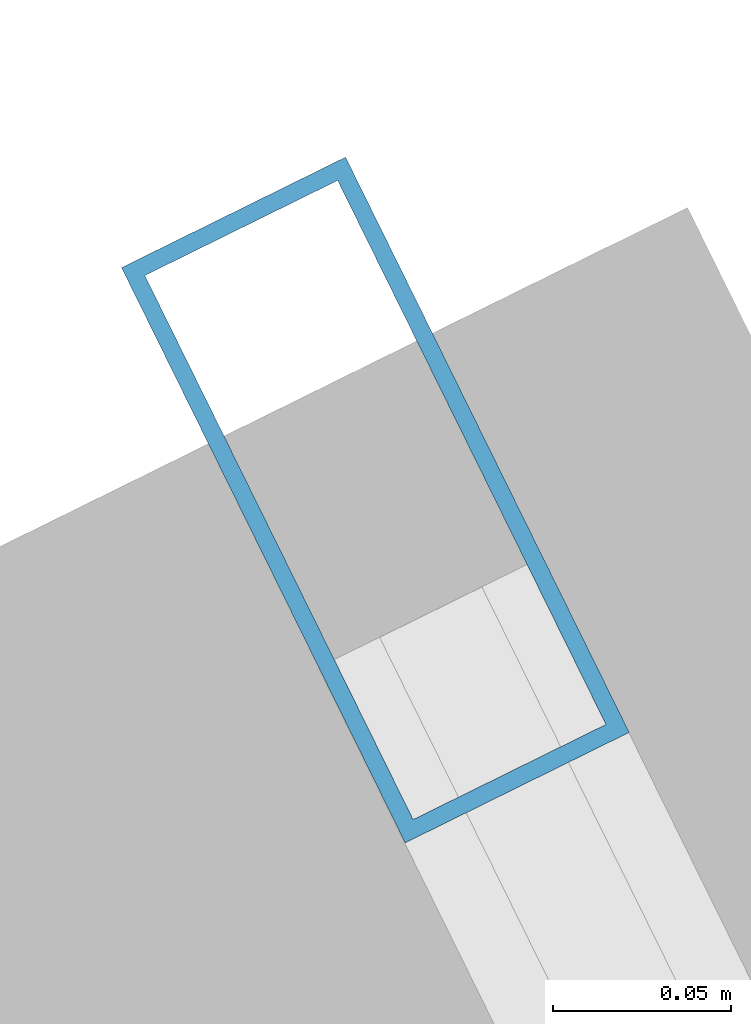
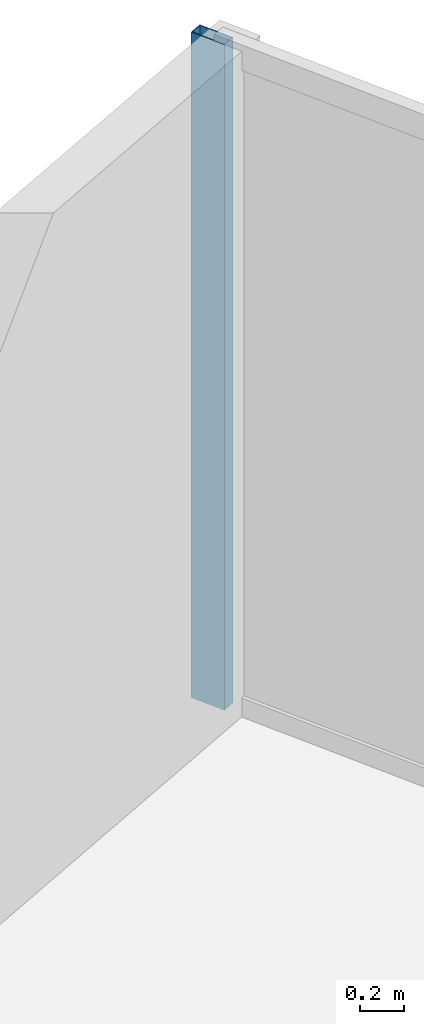
# One storey, part 17 of 22: 1 member, 1 element without a shape of its own.
"""IFC4 building model written with IfcOpenShell, lengths in metres."""

import ifcopenshell
import ifcopenshell.guid

model = None  # the IFC model being written
_history = None  # IfcOwnerHistory: only IFC2X3 demands one
_inside = {}  # id of a spatial element -> (the spatial element, [elements in it])
_under = {}  # id of a project, library or spatial element -> (it, [spatial elements below it])
_declared = {}  # id of a project -> (the project, [libraries it declares])
_typed = {}  # id of a type object -> (the type object, [elements of that type])
_made_of = {}  # id of a material, layer set ... -> (it, [elements and type objects made of it])


def new_model(schema):
    """Start an empty IFC model of exactly this schema.

    Asked for "IFC4X3", IfcOpenShell would pick the latest addendum, in which some entities
    have other attributes; the version numbers below select the first issue.
    IFC2X3 requires an IfcOwnerHistory on every rooted entity: one is made here for all.
    """
    global model, _history
    if schema == "IFC4X3":
        model = ifcopenshell.file(schema_version=(4, 3, 0, 0))
    else:
        model = ifcopenshell.file(schema=schema)
    _inside.clear()
    _under.clear()
    _declared.clear()
    _typed.clear()
    _made_of.clear()
    _history = None
    if model.schema == "IFC2X3":
        org = make("IfcOrganization", Name="unknown")
        user = make(
            "IfcPersonAndOrganization",
            ThePerson=make("IfcPerson", FamilyName="unknown"),
            TheOrganization=org,
        )
        app = make(
            "IfcApplication",
            ApplicationDeveloper=org,
            Version="unknown",
            ApplicationFullName="unknown",
            ApplicationIdentifier="unknown",
        )
        _history = make(
            "IfcOwnerHistory",
            OwningUser=user,
            OwningApplication=app,
            ChangeAction="ADDED",
            CreationDate=0,
        )
    return model


def make(cls, **values):
    """One entity of the class cls with the attributes given. An attribute that is None is left unset."""
    return model.create_entity(
        cls, **{name: value for name, value in values.items() if value is not None}
    )


def rooted(cls, **values):
    """An entity with a GlobalId (a new one), such as an element, a storey or a relation."""
    return make(cls, GlobalId=ifcopenshell.guid.new(), OwnerHistory=_history, **values)


def si_unit(unit_type, name, prefix=None):
    """IfcSIUnit, for example si_unit("LENGTHUNIT", "METRE", prefix="MILLI")."""
    return make("IfcSIUnit", UnitType=unit_type, Prefix=prefix, Name=name)


def assignment(units):
    """IfcUnitAssignment: the units of a project."""
    return None if units is None else make("IfcUnitAssignment", Units=units)


def point(xyz):
    """IfcCartesianPoint."""
    return None if xyz is None else make("IfcCartesianPoint", Coordinates=xyz)


def direction(xyz):
    """IfcDirection."""
    return None if xyz is None else make("IfcDirection", DirectionRatios=xyz)


def frame(location, z_axis=None, x_axis=None):
    """IfcAxis2Placement3D, a coordinate frame: its origin and axes. An axis left out is left unset."""
    return make(
        "IfcAxis2Placement3D",
        Location=point(location),
        Axis=direction(z_axis),
        RefDirection=direction(x_axis),
    )


def frame_2d(location, x_axis=None):
    """IfcAxis2Placement2D, a coordinate frame in the plane: its origin and x axis."""
    return make(
        "IfcAxis2Placement2D", Location=point(location), RefDirection=direction(x_axis)
    )


def origin():
    """The frame at (0, 0, 0) with its axes left unset."""
    return frame((0.0, 0.0, 0.0))


def origin_2d():
    """The frame at (0, 0) in the plane with its x axis left unset."""
    return frame_2d((0.0, 0.0))


def place(relative_to, where):
    """IfcLocalPlacement: puts the frame where relative to a parent placement (None: the world)."""
    return make(
        "IfcLocalPlacement", PlacementRelTo=relative_to, RelativePlacement=where
    )


def context(
    kind, dimensions, precision=None, world=None, true_north=None, identifier=None
):
    """IfcGeometricRepresentationContext, for example the 3D "Model" context."""
    return make(
        "IfcGeometricRepresentationContext",
        ContextIdentifier=identifier,
        ContextType=kind,
        CoordinateSpaceDimension=dimensions,
        Precision=precision,
        WorldCoordinateSystem=world,
        TrueNorth=true_north,
    )


def subcontext(parent, identifier, kind, view, scale=None):
    """IfcGeometricRepresentationSubContext, for example "Body" below "Model"."""
    return make(
        "IfcGeometricRepresentationSubContext",
        ContextIdentifier=identifier,
        ContextType=kind,
        ParentContext=parent,
        TargetScale=scale,
        TargetView=view,
    )


def project(units=None, contexts=None):
    """IfcProject with its units and contexts."""
    return rooted(
        "IfcProject",
        Name="project",
        RepresentationContexts=contexts,
        UnitsInContext=assignment(units),
    )


def spatial(cls, under=None, at=None, **own):
    """A site, building, storey or space (cls), placed at a placement, below another one or the project."""
    s = rooted(cls, ObjectPlacement=at, **own)
    if under is not None:
        _under.setdefault(under.id(), (under, []))[1].append(s)
    return s


def profile(cls, at=None, kind="AREA", **sizes):
    """A parametric profile (cls). Its sizes go by their IFC names, for example OverallWidth=200.0."""
    return make(cls, ProfileType=kind, Position=at, **sizes)


def hollow_rectangle(**sizes):
    """IfcRectangleHollowProfileDef."""
    return profile("IfcRectangleHollowProfileDef", **sizes)


def extrude(swept, where, along, depth):
    """IfcExtrudedAreaSolid: the profile swept, set in the frame where, extruded along a direction by depth."""
    return make(
        "IfcExtrudedAreaSolid",
        SweptArea=swept,
        Position=where,
        ExtrudedDirection=direction(along),
        Depth=depth,
    )


def shape(context_of_items, identifier, shape_type, items):
    """IfcShapeRepresentation: the items that make up one representation, for example the "Body"."""
    return make(
        "IfcShapeRepresentation",
        ContextOfItems=context_of_items,
        RepresentationIdentifier=identifier,
        RepresentationType=shape_type,
        Items=items,
    )


def source(mapping_origin, context_of_items, identifier, shape_type, items):
    """IfcRepresentationMap: a shape defined once, which mapped items show again and again."""
    return make(
        "IfcRepresentationMap",
        MappingOrigin=mapping_origin,
        MappedRepresentation=shape(context_of_items, identifier, shape_type, items),
    )


def transform(
    local_origin,
    x_axis=None,
    y_axis=None,
    z_axis=None,
    scale=None,
    scale2=None,
    scale3=None,
    uniform=True,
):
    """IfcCartesianTransformationOperator3D, or its non-uniform kind. x_axis, y_axis, z_axis: its Axis1, 2, 3."""
    if uniform:
        return make(
            "IfcCartesianTransformationOperator3D",
            Axis1=direction(x_axis),
            Axis2=direction(y_axis),
            LocalOrigin=point(local_origin),
            Scale=scale,
            Axis3=direction(z_axis),
        )
    return make(
        "IfcCartesianTransformationOperator3DnonUniform",
        Axis1=direction(x_axis),
        Axis2=direction(y_axis),
        LocalOrigin=point(local_origin),
        Scale=scale,
        Axis3=direction(z_axis),
        Scale2=scale2,
        Scale3=scale3,
    )


def mapped(mapping_source, mapping_target):
    """IfcMappedItem: shows the shape of a source again, moved by a transform."""
    return make(
        "IfcMappedItem", MappingSource=mapping_source, MappingTarget=mapping_target
    )


def material(Name=None, Category=None):
    """IfcMaterial."""
    return make("IfcMaterial", Name=Name, Category=Category)


def material_profile(
    of_material, cross_section, Name=None, Category=None, Priority=None
):
    """IfcMaterialProfile: a cross section and its material."""
    return make(
        "IfcMaterialProfile",
        Name=Name,
        Material=of_material,
        Profile=cross_section,
        Priority=Priority,
        Category=Category,
    )


def profile_set(profiles, Name=None, composite=None):
    """IfcMaterialProfileSet."""
    return make(
        "IfcMaterialProfileSet",
        Name=Name,
        MaterialProfiles=profiles,
        CompositeProfile=composite,
    )


def made_of(thing, what):
    """Note that an element or type object is made of a material, layer set ...; save() writes the relation."""
    if what is not None:
        _made_of.setdefault(what.id(), (what, []))[1].append(thing)
    return thing


def type_object(cls, material=None, **own):
    """A type object (cls), such as IfcWallType, which elements share."""
    return made_of(rooted(cls, **own), material)


def type_shapes(of_type, sources):
    """Give a type object the sources (RepresentationMaps) that its elements show as mapped items."""
    of_type.RepresentationMaps = sources


def element(
    cls,
    number,
    at=None,
    inside=None,
    cuts=None,
    type_object=None,
    material=None,
    context=None,
    identifier="Body",
    shape_type=None,
    held_by="IfcProductDefinitionShape",
    body=None,
    shapes=None,
    **own,
):
    """One element of the class cls, such as IfcWall. Its Tag is "e" and its number.

    at: its placement. inside: the storey or other place that contains it. cuts: it is an
    opening in that element (IfcRelVoidsElement). A single representation is given by context,
    identifier, shape_type and body (its items); several are given by shapes. held_by: the class
    of the entity that holds the representations. save() writes the other relations.
    """
    e = rooted(cls, Tag="e%d" % number, ObjectPlacement=at, **own)
    if body is not None:
        shapes = [shape(context, identifier, shape_type, body)]
    if shapes is not None:
        e.Representation = make(held_by, Representations=shapes)
    if inside is not None:
        _inside.setdefault(inside.id(), (inside, []))[1].append(e)
    if cuts is not None:
        rooted(
            "IfcRelVoidsElement", RelatingBuildingElement=cuts, RelatedOpeningElement=e
        )
    if type_object is not None:
        _typed.setdefault(type_object.id(), (type_object, []))[1].append(e)
    return made_of(e, material)


def aggregate(whole, parts):
    """IfcRelAggregates: a whole, such as a stair, and the parts it consists of."""
    return rooted("IfcRelAggregates", RelatingObject=whole, RelatedObjects=parts)


def save(model, path):
    """Write the relations noted so far, then the file.

    IfcRelAggregates (storeys below a building ...), IfcRelContainedInSpatialStructure (elements
    in a storey), IfcRelDefinesByType, IfcRelAssociatesMaterial and IfcRelDeclares: one each for
    every whole, place, type object, material and project.
    """
    for whole, parts in _under.values():
        aggregate(whole, parts)
    for where, things in _inside.values():
        rooted(
            "IfcRelContainedInSpatialStructure",
            RelatedElements=things,
            RelatingStructure=where,
        )
    for kind, things in _typed.values():
        rooted("IfcRelDefinesByType", RelatedObjects=things, RelatingType=kind)
    for what, things in _made_of.values():
        rooted("IfcRelAssociatesMaterial", RelatedObjects=things, RelatingMaterial=what)
    for by, libraries in _declared.values():
        rooted("IfcRelDeclares", RelatingContext=by, RelatedDefinitions=libraries)
    model.write(path)


model = new_model("IFC4")

# Units and contexts
model_context = context("Model", 3, precision=1e-05, world=origin(), true_north=direction((0.0, 1.0)))
body_context = subcontext(model_context, "Body", "Model", "MODEL_VIEW")
ifc_project = project(units=[si_unit("LENGTHUNIT", "METRE"), si_unit("AREAUNIT", "SQUARE_METRE"), si_unit("VOLUMEUNIT", "CUBIC_METRE"), si_unit("PLANEANGLEUNIT", "RADIAN"), si_unit("MASSUNIT", "GRAM", prefix="KILO")], contexts=[model_context])

# Site, building, storey
site_placement = place(None, origin())
site = spatial("IfcSite", under=ifc_project, at=site_placement, CompositionType="ELEMENT")
building_placement = place(site_placement, origin())
building = spatial("IfcBuilding", under=site, at=building_placement, Name="Krantzveldt Concourse Tower", CompositionType="ELEMENT")
storey_placement = place(building_placement, frame((0.0, 0.0, 310.85009765625)))
storey = spatial("IfcBuildingStorey", under=building, at=storey_placement, Name="L76", CompositionType="ELEMENT", Elevation=310.85009765625)

# Curtain wall, member
ifc_material = material(Name="Anodised aluminium 6063-T6", Category="aluminium")
curtain_wall_type = type_object("IfcCurtainWallType", Name="CW4", PredefinedType="USERDEFINED", material=ifc_material)
curtain_wall_placement = place(storey_placement, origin())
curtain_wall = element("IfcCurtainWall", 1, at=curtain_wall_placement, inside=storey, type_object=curtain_wall_type, Name="CW-L76-F10", ObjectType="UNITISED CURTAIN WALL", PredefinedType="USERDEFINED")
ifc_material_profile = material_profile(ifc_material, hollow_rectangle(XDim=0.070068359375, YDim=0.179931640625, WallThickness=0.0048828125, at=origin_2d()), Name="Anodised aluminium 6063-T6", Category="aluminium")
ifc_profile_set = profile_set([ifc_material_profile], Name="Anodised aluminium 6063-T6 - ALU-MULL 180x70x5")
member_type = type_object("IfcMemberType", Name="CW-MUL-180", PredefinedType="MULLION", material=ifc_profile_set)
shared_shape = source(origin(), body_context, "Body", "SweptSolid", [
    extrude(hollow_rectangle(XDim=0.070068359375, YDim=0.179931640625, WallThickness=0.0048828125, at=origin_2d()), origin(), (0.0, 0.0, 1.0), 3.669921875),
])
type_shapes(member_type, [shared_shape])
member_placement = place(storey_placement, frame((47.188720703125, 48.123046875, 0.0), z_axis=(0.0, 0.0, 1.0), x_axis=(-0.896872829457, -0.442288511927, 0.0)))
member = element("IfcMember", 2, at=member_placement, type_object=member_type, Name="CW-Z56 mullion 5", PredefinedType="MULLION", context=body_context, shape_type="MappedRepresentation", body=[
    mapped(shared_shape, transform((0.0, 0.0, 0.0), x_axis=(1.0, 0.0, 0.0), y_axis=(0.0, 1.0, 0.0), z_axis=(0.0, 0.0, 1.0), scale=1.0)),
])
aggregate(curtain_wall, [member])

save(model, "model.ifc")
